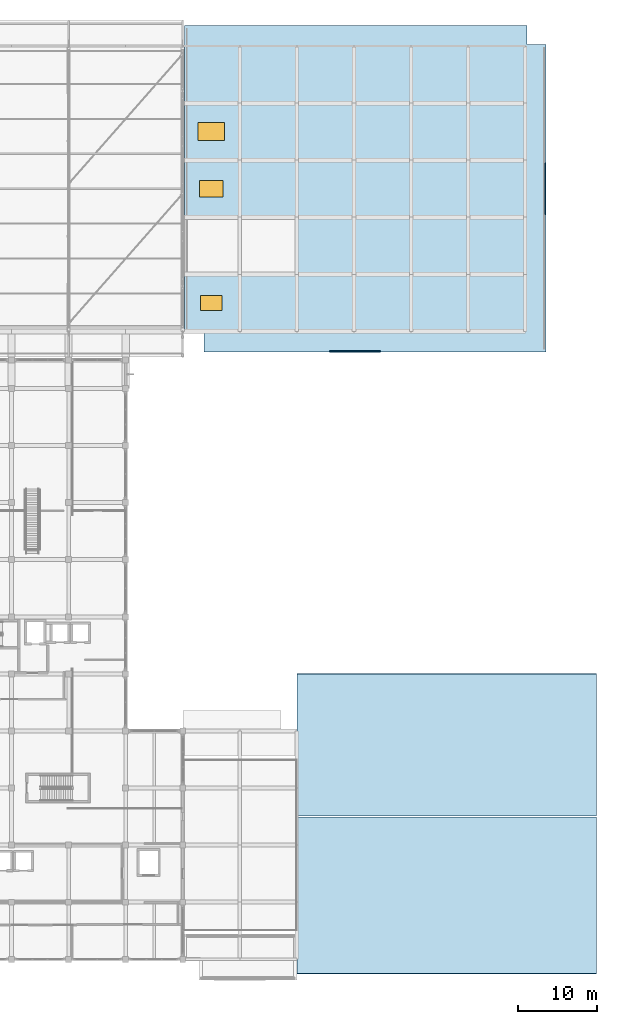
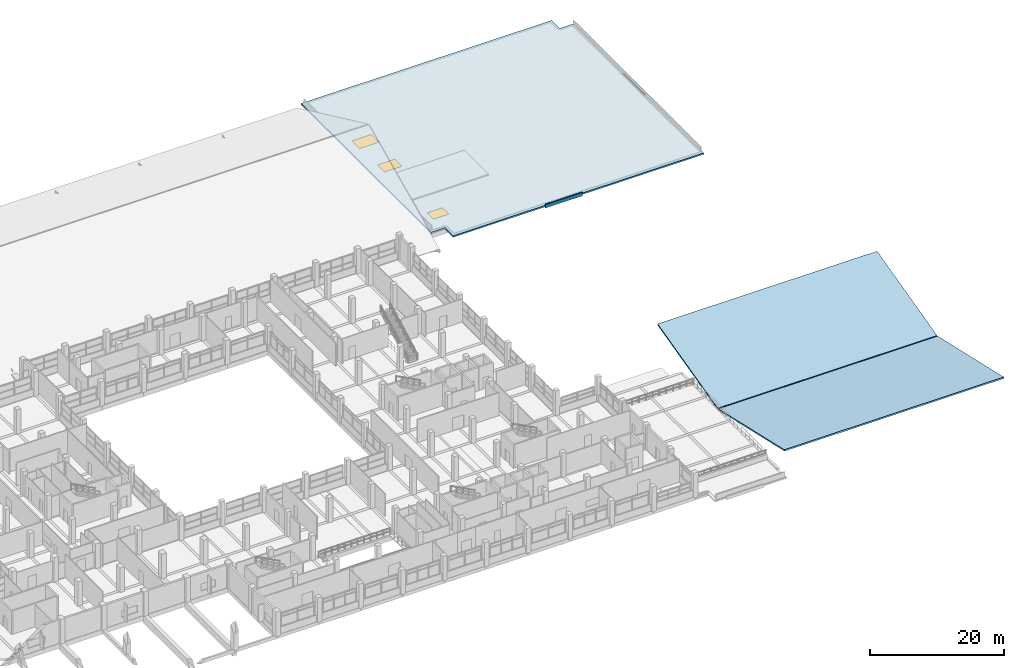
# One storey, part 121 of 141: 3 slabs, 3 windows, 2 plates, 3 openings.
"""IFC4 building model written with IfcOpenShell, lengths in metres."""

import ifcopenshell
import ifcopenshell.guid

model = None  # the IFC model being written
_history = None  # IfcOwnerHistory: only IFC2X3 demands one
_inside = {}  # id of a spatial element -> (the spatial element, [elements in it])
_under = {}  # id of a project, library or spatial element -> (it, [spatial elements below it])
_declared = {}  # id of a project -> (the project, [libraries it declares])
_typed = {}  # id of a type object -> (the type object, [elements of that type])
_made_of = {}  # id of a material, layer set ... -> (it, [elements and type objects made of it])


def new_model(schema):
    """Start an empty IFC model of exactly this schema.

    Asked for "IFC4X3", IfcOpenShell would pick the latest addendum, in which some entities
    have other attributes; the version numbers below select the first issue.
    IFC2X3 requires an IfcOwnerHistory on every rooted entity: one is made here for all.
    """
    global model, _history
    if schema == "IFC4X3":
        model = ifcopenshell.file(schema_version=(4, 3, 0, 0))
    else:
        model = ifcopenshell.file(schema=schema)
    _inside.clear()
    _under.clear()
    _declared.clear()
    _typed.clear()
    _made_of.clear()
    _history = None
    if model.schema == "IFC2X3":
        org = make("IfcOrganization", Name="unknown")
        user = make(
            "IfcPersonAndOrganization",
            ThePerson=make("IfcPerson", FamilyName="unknown"),
            TheOrganization=org,
        )
        app = make(
            "IfcApplication",
            ApplicationDeveloper=org,
            Version="unknown",
            ApplicationFullName="unknown",
            ApplicationIdentifier="unknown",
        )
        _history = make(
            "IfcOwnerHistory",
            OwningUser=user,
            OwningApplication=app,
            ChangeAction="ADDED",
            CreationDate=0,
        )
    return model


def make(cls, **values):
    """One entity of the class cls with the attributes given. An attribute that is None is left unset."""
    return model.create_entity(
        cls, **{name: value for name, value in values.items() if value is not None}
    )


def rooted(cls, **values):
    """An entity with a GlobalId (a new one), such as an element, a storey or a relation."""
    return make(cls, GlobalId=ifcopenshell.guid.new(), OwnerHistory=_history, **values)


def si_unit(unit_type, name, prefix=None):
    """IfcSIUnit, for example si_unit("LENGTHUNIT", "METRE", prefix="MILLI")."""
    return make("IfcSIUnit", UnitType=unit_type, Prefix=prefix, Name=name)


def assignment(units):
    """IfcUnitAssignment: the units of a project."""
    return None if units is None else make("IfcUnitAssignment", Units=units)


def point(xyz):
    """IfcCartesianPoint."""
    return None if xyz is None else make("IfcCartesianPoint", Coordinates=xyz)


def direction(xyz):
    """IfcDirection."""
    return None if xyz is None else make("IfcDirection", DirectionRatios=xyz)


def frame(location, z_axis=None, x_axis=None):
    """IfcAxis2Placement3D, a coordinate frame: its origin and axes. An axis left out is left unset."""
    return make(
        "IfcAxis2Placement3D",
        Location=point(location),
        Axis=direction(z_axis),
        RefDirection=direction(x_axis),
    )


def frame_2d(location, x_axis=None):
    """IfcAxis2Placement2D, a coordinate frame in the plane: its origin and x axis."""
    return make(
        "IfcAxis2Placement2D", Location=point(location), RefDirection=direction(x_axis)
    )


def origin():
    """The frame at (0, 0, 0) with its axes left unset."""
    return frame((0.0, 0.0, 0.0))


def origin_2d():
    """The frame at (0, 0) in the plane with its x axis left unset."""
    return frame_2d((0.0, 0.0))


def place(relative_to, where):
    """IfcLocalPlacement: puts the frame where relative to a parent placement (None: the world)."""
    return make(
        "IfcLocalPlacement", PlacementRelTo=relative_to, RelativePlacement=where
    )


def context(
    kind, dimensions, precision=None, world=None, true_north=None, identifier=None
):
    """IfcGeometricRepresentationContext, for example the 3D "Model" context."""
    return make(
        "IfcGeometricRepresentationContext",
        ContextIdentifier=identifier,
        ContextType=kind,
        CoordinateSpaceDimension=dimensions,
        Precision=precision,
        WorldCoordinateSystem=world,
        TrueNorth=true_north,
    )


def subcontext(parent, identifier, kind, view, scale=None):
    """IfcGeometricRepresentationSubContext, for example "Body" below "Model"."""
    return make(
        "IfcGeometricRepresentationSubContext",
        ContextIdentifier=identifier,
        ContextType=kind,
        ParentContext=parent,
        TargetScale=scale,
        TargetView=view,
    )


def project(units=None, contexts=None):
    """IfcProject with its units and contexts."""
    return rooted(
        "IfcProject",
        Name="project",
        RepresentationContexts=contexts,
        UnitsInContext=assignment(units),
    )


def spatial(cls, under=None, at=None, **own):
    """A site, building, storey or space (cls), placed at a placement, below another one or the project."""
    s = rooted(cls, ObjectPlacement=at, **own)
    if under is not None:
        _under.setdefault(under.id(), (under, []))[1].append(s)
    return s


def polyline(points):
    """IfcPolyline through the points."""
    return make("IfcPolyline", Points=[point(p) for p in points])


def profile(cls, at=None, kind="AREA", **sizes):
    """A parametric profile (cls). Its sizes go by their IFC names, for example OverallWidth=200.0."""
    return make(cls, ProfileType=kind, Position=at, **sizes)


def rectangle(**sizes):
    """IfcRectangleProfileDef."""
    return profile("IfcRectangleProfileDef", **sizes)


def outline(outer, holes=None, kind="AREA"):
    """IfcArbitraryClosedProfileDef: a profile drawn as a closed curve; with holes, ...WithVoids."""
    if holes is None:
        return make("IfcArbitraryClosedProfileDef", ProfileType=kind, OuterCurve=outer)
    return make(
        "IfcArbitraryProfileDefWithVoids",
        ProfileType=kind,
        OuterCurve=outer,
        InnerCurves=holes,
    )


def extrude(swept, where, along, depth):
    """IfcExtrudedAreaSolid: the profile swept, set in the frame where, extruded along a direction by depth."""
    return make(
        "IfcExtrudedAreaSolid",
        SweptArea=swept,
        Position=where,
        ExtrudedDirection=direction(along),
        Depth=depth,
    )


def shape(context_of_items, identifier, shape_type, items):
    """IfcShapeRepresentation: the items that make up one representation, for example the "Body"."""
    return make(
        "IfcShapeRepresentation",
        ContextOfItems=context_of_items,
        RepresentationIdentifier=identifier,
        RepresentationType=shape_type,
        Items=items,
    )


def material(Name=None, Category=None):
    """IfcMaterial."""
    return make("IfcMaterial", Name=Name, Category=Category)


def layer(
    of_material, thickness, ventilated=None, Name=None, Category=None, Priority=None
):
    """IfcMaterialLayer: one layer of a wall or slab, of a material (None: an air gap)."""
    return make(
        "IfcMaterialLayer",
        Material=of_material,
        LayerThickness=thickness,
        IsVentilated=ventilated,
        Name=Name,
        Category=Category,
        Priority=Priority,
    )


def layer_set(layers, Name=None):
    """IfcMaterialLayerSet."""
    return make("IfcMaterialLayerSet", MaterialLayers=layers, LayerSetName=Name)


def made_of(thing, what):
    """Note that an element or type object is made of a material, layer set ...; save() writes the relation."""
    if what is not None:
        _made_of.setdefault(what.id(), (what, []))[1].append(thing)
    return thing


def type_object(cls, material=None, **own):
    """A type object (cls), such as IfcWallType, which elements share."""
    return made_of(rooted(cls, **own), material)


def element(
    cls,
    number,
    at=None,
    inside=None,
    cuts=None,
    type_object=None,
    material=None,
    context=None,
    identifier="Body",
    shape_type=None,
    held_by="IfcProductDefinitionShape",
    body=None,
    shapes=None,
    **own,
):
    """One element of the class cls, such as IfcWall. Its Tag is "e" and its number.

    at: its placement. inside: the storey or other place that contains it. cuts: it is an
    opening in that element (IfcRelVoidsElement). A single representation is given by context,
    identifier, shape_type and body (its items); several are given by shapes. held_by: the class
    of the entity that holds the representations. save() writes the other relations.
    """
    e = rooted(cls, Tag="e%d" % number, ObjectPlacement=at, **own)
    if body is not None:
        shapes = [shape(context, identifier, shape_type, body)]
    if shapes is not None:
        e.Representation = make(held_by, Representations=shapes)
    if inside is not None:
        _inside.setdefault(inside.id(), (inside, []))[1].append(e)
    if cuts is not None:
        rooted(
            "IfcRelVoidsElement", RelatingBuildingElement=cuts, RelatedOpeningElement=e
        )
    if type_object is not None:
        _typed.setdefault(type_object.id(), (type_object, []))[1].append(e)
    return made_of(e, material)


def fill(opening, filler):
    """IfcRelFillsElement: the door or window that sits in an opening."""
    return rooted(
        "IfcRelFillsElement",
        RelatingOpeningElement=opening,
        RelatedBuildingElement=filler,
    )


def aggregate(whole, parts):
    """IfcRelAggregates: a whole, such as a stair, and the parts it consists of."""
    return rooted("IfcRelAggregates", RelatingObject=whole, RelatedObjects=parts)


def save(model, path):
    """Write the relations noted so far, then the file.

    IfcRelAggregates (storeys below a building ...), IfcRelContainedInSpatialStructure (elements
    in a storey), IfcRelDefinesByType, IfcRelAssociatesMaterial and IfcRelDeclares: one each for
    every whole, place, type object, material and project.
    """
    for whole, parts in _under.values():
        aggregate(whole, parts)
    for where, things in _inside.values():
        rooted(
            "IfcRelContainedInSpatialStructure",
            RelatedElements=things,
            RelatingStructure=where,
        )
    for kind, things in _typed.values():
        rooted("IfcRelDefinesByType", RelatedObjects=things, RelatingType=kind)
    for what, things in _made_of.values():
        rooted("IfcRelAssociatesMaterial", RelatedObjects=things, RelatingMaterial=what)
    for by, libraries in _declared.values():
        rooted("IfcRelDeclares", RelatingContext=by, RelatedDefinitions=libraries)
    model.write(path)


model = new_model("IFC4")

# Units and contexts
model_context = context("Model", 3, precision=1e-05, world=origin(), true_north=direction((0.0, 1.0)))
body_context = subcontext(model_context, "Body", "Model", "MODEL_VIEW")
ifc_project = project(units=[si_unit("LENGTHUNIT", "METRE"), si_unit("AREAUNIT", "SQUARE_METRE"), si_unit("VOLUMEUNIT", "CUBIC_METRE"), si_unit("PLANEANGLEUNIT", "RADIAN"), si_unit("MASSUNIT", "GRAM", prefix="KILO")], contexts=[model_context])

# Site, building, storey
site_placement = place(None, origin())
site = spatial("IfcSite", under=ifc_project, at=site_placement, CompositionType="ELEMENT")
building_placement = place(site_placement, origin())
building = spatial("IfcBuilding", under=site, at=building_placement, Name="Seraya Terrace Polytechnic", CompositionType="ELEMENT")
storey_placement = place(building_placement, frame((0.0, 0.0, 14.39990234375)))
storey = spatial("IfcBuildingStorey", under=building, at=storey_placement, Name="L03", CompositionType="ELEMENT", Elevation=14.39990234375)

# Plates
ifc_material_1 = material(Name="Precast concrete C40/50", Category="concrete")
ifc_layer_1 = layer(ifc_material_1, 0.159912109375, Name="FP-01")
ifc_layer_set_1 = layer_set([ifc_layer_1], Name="Precast concrete C40/50")
plate_type = type_object("IfcPlateType", Name="FP-01", PredefinedType="SHEET", material=ifc_layer_set_1)
for number, where, z_axis, x_axis, name in (
    (1, (136.925048828125, 76.669921875, -0.489990234375), (0.0, 0.0, 1.0), (1.0, 0.0, 0.0), "Sculpted white precast eave fascia ROOF-L03-V1ANNEX South"),
    (2, (160.929931640625, 97.199951171875, -0.489990234375), (0.0, 0.0, 1.0), (0.0, 1.0, 0.0), "Sculpted white precast eave fascia ROOF-L03-V1ANNEX East"),
):
    element("IfcPlate", number, at=place(storey_placement, frame(where, z_axis=z_axis, x_axis=x_axis)), inside=storey, type_object=plate_type, Name=name, PredefinedType="SHEET", context=body_context, shape_type="SweptSolid", body=[
        extrude(rectangle(XDim=6.39990234375, YDim=0.159912109375, at=origin_2d()), origin(), (0.0, 0.0, 1.0), 0.6201171875),
    ])

# Slab, openings, windows
ifc_layer_2 = layer(ifc_material_1, 0.25, Name="RS-01")
ifc_layer_set_2 = layer_set([ifc_layer_2], Name="Precast concrete C40/50")
slab_type_1 = type_object("IfcSlabType", Name="RS-01", PredefinedType="ROOF", material=ifc_layer_set_2)
slab_1_placement = place(storey_placement, frame((0.0, 0.0, -0.25)))
slab_1 = element("IfcSlab", 3, at=slab_1_placement, inside=storey, type_object=slab_type_1, Name="Sculpted overhanging precast roof plate ROOF-L03-V1ANNEX", PredefinedType="ROOF", context=body_context, shape_type="SweptSolid", body=[
    extrude(outline(polyline([(117.85009765625, 79.0), (115.449951171875, 79.0), (115.449951171875, 117.800048828125), (158.60009765625, 117.800048828125), (158.60009765625, 115.39990234375), (161.0, 115.39990234375), (161.0, 76.60009765625), (117.85009765625, 76.60009765625), (117.85009765625, 79.0)])), origin(), (0.0, 0.0, 1.0), 0.25),
])
opening_1_placement = place(slab_1_placement, frame((118.800048828125, 82.800048828125, -0.011962890625)))
opening_1 = element("IfcOpeningElement", 4, at=opening_1_placement, cuts=slab_1, Name="Opening SK-04", PredefinedType="OPENING", context=body_context, shape_type="SweptSolid", body=[
    extrude(rectangle(XDim=2.699951171875, YDim=1.89990234375, at=origin_2d()), origin(), (0.0, 0.0, 1.0), 0.27392578125),
])
opening_2_placement = place(slab_1_placement, frame((118.800048828125, 97.199951171875, -0.011962890625)))
opening_2 = element("IfcOpeningElement", 5, at=opening_2_placement, cuts=slab_1, Name="Opening SK-05", PredefinedType="OPENING", context=body_context, shape_type="SweptSolid", body=[
    extrude(rectangle(XDim=3.0, YDim=2.10009765625, at=origin_2d()), origin(), (0.0, 0.0, 1.0), 0.27392578125),
])
opening_3_placement = place(slab_1_placement, frame((118.800048828125, 104.39990234375, -0.011962890625)))
opening_3 = element("IfcOpeningElement", 6, at=opening_3_placement, cuts=slab_1, Name="Opening SK-06", PredefinedType="OPENING", context=body_context, shape_type="SweptSolid", body=[
    extrude(rectangle(XDim=3.300048828125, YDim=2.300048828125, at=origin_2d()), origin(), (0.0, 0.0, 1.0), 0.27392578125),
])
ifc_material_2 = material(Name="Laminated solar-control Low-E double glazing", Category="glass")
window_type_1 = type_object("IfcWindowType", Name="SK-04", PartitioningType="SINGLE_PANEL", PredefinedType="SKYLIGHT", material=ifc_material_2)
window_1_placement = place(slab_1_placement, frame((118.800048828125, 82.800048828125, 0.199951171875)))
window_1 = element("IfcWindow", 7, at=window_1_placement, inside=storey, type_object=window_type_1, Name="Roof skylight and smoke hatch SK-04 #4", OverallHeight=1.89990234375, OverallWidth=2.699951171875, PartitioningType="SINGLE_PANEL", PredefinedType="SKYLIGHT", context=body_context, shape_type="SweptSolid", body=[
    extrude(rectangle(XDim=2.699951171875, YDim=1.89990234375, at=origin_2d()), origin(), (0.0, 0.0, 1.0), 0.050048828125),
])
fill(opening_1, window_1)
window_type_2 = type_object("IfcWindowType", Name="SK-05", PartitioningType="SINGLE_PANEL", PredefinedType="SKYLIGHT", material=ifc_material_2)
window_2_placement = place(slab_1_placement, frame((118.800048828125, 97.199951171875, 0.199951171875)))
window_2 = element("IfcWindow", 8, at=window_2_placement, inside=storey, type_object=window_type_2, Name="Roof skylight and smoke hatch SK-05 #5", OverallHeight=2.10009765625, OverallWidth=3.0, PartitioningType="SINGLE_PANEL", PredefinedType="SKYLIGHT", context=body_context, shape_type="SweptSolid", body=[
    extrude(rectangle(XDim=3.0, YDim=2.10009765625, at=origin_2d()), origin(), (0.0, 0.0, 1.0), 0.050048828125),
])
fill(opening_2, window_2)
window_type_3 = type_object("IfcWindowType", Name="SK-06", PartitioningType="SINGLE_PANEL", PredefinedType="SKYLIGHT", material=ifc_material_2)
window_3_placement = place(slab_1_placement, frame((118.800048828125, 104.39990234375, 0.199951171875)))
window_3 = element("IfcWindow", 9, at=window_3_placement, inside=storey, type_object=window_type_3, Name="Roof skylight and smoke hatch SK-06 #6", OverallHeight=2.300048828125, OverallWidth=3.300048828125, PartitioningType="SINGLE_PANEL", PredefinedType="SKYLIGHT", context=body_context, shape_type="SweptSolid", body=[
    extrude(rectangle(XDim=3.300048828125, YDim=2.300048828125, at=origin_2d()), origin(), (0.0, 0.0, 1.0), 0.050048828125),
])
fill(opening_3, window_3)

# Slabs
ifc_material_3 = material(Name="Concrete C40/50", Category="concrete")
ifc_layer_3 = layer(ifc_material_3, 0.239990234375, Name="RS-04")
ifc_layer_set_3 = layer_set([ifc_layer_3], Name="Concrete C40/50")
slab_type_2 = type_object("IfcSlabType", Name="RS-04", PredefinedType="ROOF", material=ifc_layer_set_3)
slab_2_placement = place(storey_placement, frame((129.60009765625, -1.800048828125, 4.5), z_axis=(0.0, 0.222476074673, 0.974938149935), x_axis=(1.0, 0.0, 0.0)))
element("IfcSlab", 10, at=slab_2_placement, inside=storey, type_object=slab_type_2, Name="Student Union butterfly folded roof South wing", PredefinedType="ROOF", context=body_context, shape_type="SweptSolid", body=[
    extrude(outline(polyline([(0.0, 0.0), (37.7998046875, 0.0), (37.7998046875, 20.22689409009966), (0.0, 20.22689409009966), (0.0, 0.0)])), origin(), (0.0, 0.0, -1.0), 0.239990234375),
])
slab_3_placement = place(storey_placement, frame((129.60009765625, 18.080078125, 0.0), z_axis=(0.0, -0.24355527928, 0.969887017098), x_axis=(1.0, 0.0, 0.0)))
element("IfcSlab", 11, at=slab_3_placement, inside=storey, type_object=slab_type_2, Name="Student Union butterfly folded roof North wing", PredefinedType="ROOF", context=body_context, shape_type="SweptSolid", body=[
    extrude(outline(polyline([(0.0, 0.0), (37.7998046875, 0.0), (37.7998046875, 18.476298330729115), (0.0, 18.476298330729115), (0.0, 0.0)])), origin(), (0.0, 0.0, -1.0), 0.239990234375),
])

save(model, "model.ifc")
